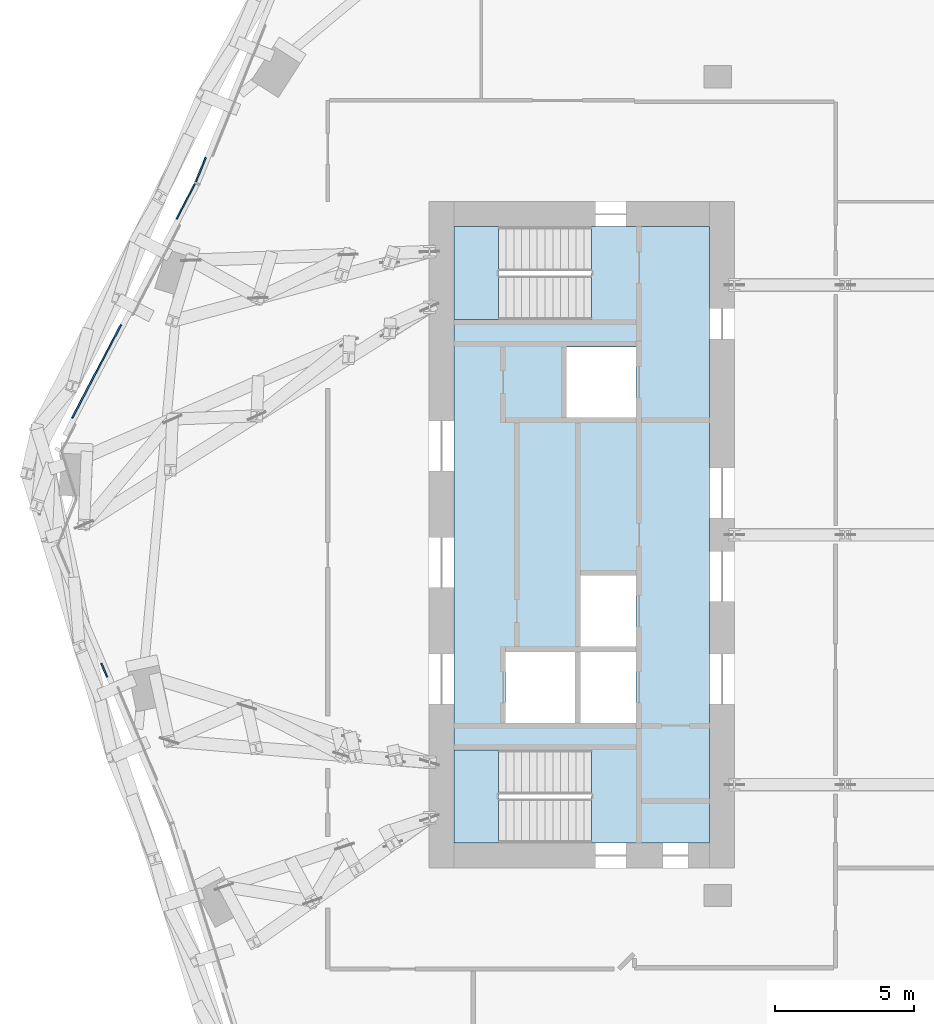
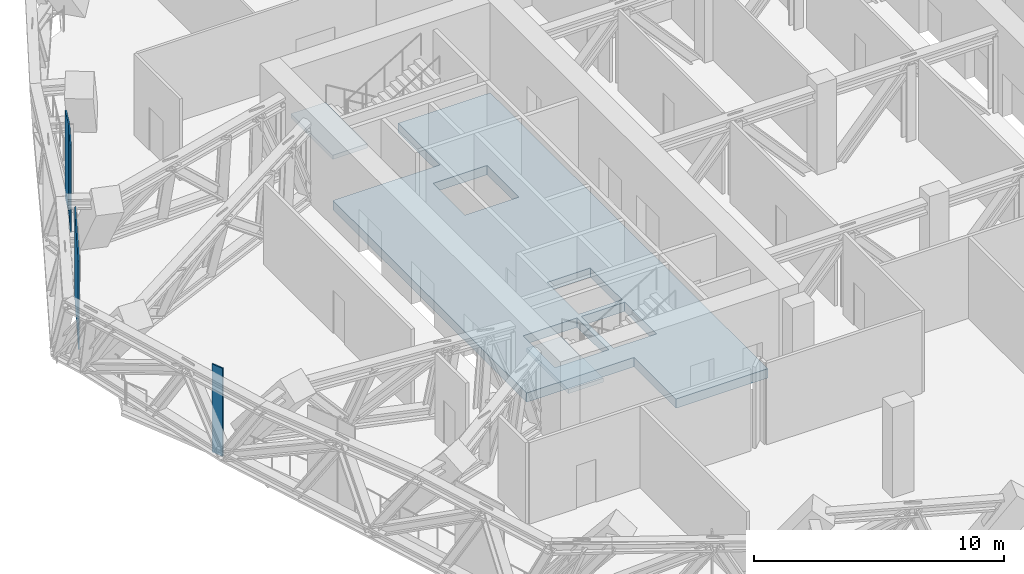
# One storey, part 19 of 31: 4 plates, 3 slabs, 5 elements without a shape of their own.
"""IFC4 building model written with IfcOpenShell, lengths in metres."""

from ifc_helpers import new_model, si_unit, direction, frame, origin, origin_2d, place, context, subcontext, project, spatial, polyline, rectangle, outline, extrude, material, layer, layer_set, type_object, element, aggregate, save


model = new_model("IFC4")

# Units and contexts
model_context = context("Model", 3, precision=1e-05, world=origin(), true_north=direction((0.0, 1.0)))
body_context = subcontext(model_context, "Body", "Model", "MODEL_VIEW")
ifc_project = project(units=[si_unit("LENGTHUNIT", "METRE"), si_unit("AREAUNIT", "SQUARE_METRE"), si_unit("VOLUMEUNIT", "CUBIC_METRE"), si_unit("PLANEANGLEUNIT", "RADIAN"), si_unit("MASSUNIT", "GRAM", prefix="KILO")], contexts=[model_context])

# Site, building, storey
site_placement = place(None, origin())
site = spatial("IfcSite", under=ifc_project, at=site_placement, CompositionType="ELEMENT")
building_placement = place(site_placement, origin())
building = spatial("IfcBuilding", under=site, at=building_placement, Name="Orlundy Tower", CompositionType="ELEMENT")
storey_placement = place(building_placement, frame((0.0, 0.0, 271.0)))
storey = spatial("IfcBuildingStorey", under=building, at=storey_placement, Name="L72", CompositionType="ELEMENT", Elevation=271.0)

# Curtain wall, plate
ifc_material_1 = material(Name="Aluminium bronze anodised", Category="aluminium")
curtain_wall_type = type_object("IfcCurtainWallType", Name="CW4 wall", PredefinedType="NOTDEFINED", material=ifc_material_1)
curtain_wall_1_placement = place(storey_placement, origin())
curtain_wall_1 = element("IfcCurtainWall", 1, at=curtain_wall_1_placement, inside=storey, type_object=curtain_wall_type, Name="CW4 run 04", PredefinedType="NOTDEFINED")
ifc_material_2 = material(Name="Louvre aluminium bronze anodised", Category="aluminium")
ifc_layer_1 = layer(ifc_material_2, 0.06005859375)
ifc_layer_set_1 = layer_set([ifc_layer_1], Name="CW4 louvre panel 60")
plate_type = type_object("IfcPlateType", Name="CW4 louvre panel 60", PredefinedType="CURTAIN_PANEL", material=ifc_layer_set_1)
plate_1_placement = place(storey_placement, frame((-30.70458984375, -4.8798828125, -0.2998046875), z_axis=(0.0, 0.0, 1.0), x_axis=(-0.390697634488, 0.920519070093, 0.0)))
plate_1 = element("IfcPlate", 2, at=plate_1_placement, type_object=plate_type, Name="CW4 louvre", PredefinedType="CURTAIN_PANEL", context=body_context, shape_type="SweptSolid", body=[
    extrude(rectangle(XDim=0.536865234375, YDim=0.06005859375, at=origin_2d()), origin(), (0.0, 0.0, 1.0), 4.300048828125),
])
aggregate(curtain_wall_1, [plate_1])

# Curtain wall, plates
curtain_wall_2_placement = place(storey_placement, origin())
curtain_wall_2 = element("IfcCurtainWall", 3, at=curtain_wall_2_placement, inside=storey, type_object=curtain_wall_type, Name="CW4 run 07", PredefinedType="NOTDEFINED")
plate_2_placement = place(storey_placement, frame((-30.978515625, 5.886962890625, -0.2998046875), z_axis=(0.0, 0.0, 1.0), x_axis=(0.464358908308, 0.885647110465, 0.0)))
plate_2 = element("IfcPlate", 4, at=plate_2_placement, type_object=plate_type, Name="CW4 louvre", PredefinedType="CURTAIN_PANEL", context=body_context, shape_type="SweptSolid", body=[
    extrude(rectangle(XDim=3.800537109375, YDim=0.06005859375, at=origin_2d()), origin(), (0.0, 0.0, 1.0), 4.300048828125),
])
plate_3_placement = place(storey_placement, frame((-27.763916015625, 12.017822265625, -0.2998046875), z_axis=(0.0, 0.0, 1.0), x_axis=(0.464358908308, 0.885647110465, 0.0)))
plate_3 = element("IfcPlate", 5, at=plate_3_placement, type_object=plate_type, Name="CW4 louvre", PredefinedType="CURTAIN_PANEL", context=body_context, shape_type="SweptSolid", body=[
    extrude(rectangle(XDim=1.436279296875, YDim=0.06005859375, at=origin_2d()), origin(), (0.0, 0.0, 1.0), 4.300048828125),
])
aggregate(curtain_wall_2, [plate_2, plate_3])

# Curtain wall, plate
curtain_wall_3_placement = place(storey_placement, origin())
curtain_wall_3 = element("IfcCurtainWall", 6, at=curtain_wall_3_placement, inside=storey, type_object=curtain_wall_type, Name="CW4 run 08", PredefinedType="NOTDEFINED")
plate_4_placement = place(storey_placement, frame((-27.22607421875, 13.15185546875, -0.2998046875), z_axis=(0.0, 0.0, 1.0), x_axis=(0.374585375151, 0.92719242702, 0.0)))
plate_4 = element("IfcPlate", 7, at=plate_4_placement, type_object=plate_type, Name="CW4 louvre", PredefinedType="CURTAIN_PANEL", context=body_context, shape_type="SweptSolid", body=[
    extrude(rectangle(XDim=0.956787109375, YDim=0.06005859375, at=origin_2d()), origin(), (0.0, 0.0, 1.0), 4.300048828125),
])
aggregate(curtain_wall_3, [plate_4])

# Slab
ifc_material_3 = material(Name="Concrete C50/60", Category="concrete")
ifc_layer_2 = layer(ifc_material_3, 0.449951171875)
ifc_layer_set_2 = layer_set([ifc_layer_2], Name="Core Floor Slab 450")
slab_type_1 = type_object("IfcSlabType", Name="Core Floor Slab 450", PredefinedType="FLOOR", material=ifc_layer_set_2)
slab_1_placement = place(storey_placement, frame((0.0, 0.0, -0.449951171875)))
element("IfcSlab", 8, at=slab_1_placement, inside=storey, type_object=slab_type_1, Name="Core floor W54", PredefinedType="FLOOR", context=body_context, shape_type="SweptSolid", body=[
    extrude(outline(polyline([(-18.10009765625, 7.75), (-13.14501953125, 7.75), (-13.14501953125, 11.10009765625), (-8.89990234375, 11.10009765625), (-8.89990234375, -11.10009765625), (-13.14501953125, -11.10009765625), (-13.14501953125, -7.75), (-18.10009765625, -7.75), (-18.10009765625, 7.75)]), holes=[polyline([(-13.5400390625, -4.22509765625), (-13.5400390625, -6.77490234375), (-11.5400390625, -6.77490234375), (-11.5400390625, -4.22509765625), (-13.5400390625, -4.22509765625)]), polyline([(-13.739990234375, -4.22509765625), (-16.239990234375, -4.22509765625), (-16.239990234375, -6.77490234375), (-13.739990234375, -6.77490234375), (-13.739990234375, -4.22509765625)]), polyline([(-11.5400390625, -4.02490234375), (-11.5400390625, -1.47509765625), (-13.5400390625, -1.47509765625), (-13.5400390625, -4.02490234375), (-11.5400390625, -4.02490234375)]), polyline([(-14.0400390625, 4.22509765625), (-11.5400390625, 4.22509765625), (-11.5400390625, 6.77490234375), (-14.0400390625, 6.77490234375), (-14.0400390625, 4.22509765625)])]), origin(), (0.0, 0.0, 1.0), 0.449951171875),
])

# Stair, slab
ifc_material_4 = material(Name="Concrete C50/60", Category="concrete")
stair_type = type_object("IfcStairType", Name="Exit Stair 26 risers", PredefinedType="HALF_TURN_STAIR", material=ifc_material_4)
stair_1_placement = place(storey_placement, origin())
stair_1 = element("IfcStair", 9, at=stair_1_placement, inside=storey, type_object=stair_type, Name="L72 Exit Stair ST-W1", PredefinedType="HALF_TURN_STAIR")
ifc_material_5 = material(Name="Concrete C50/60", Category="concrete")
ifc_layer_3 = layer(ifc_material_5, 0.199951171875)
ifc_layer_set_3 = layer_set([ifc_layer_3], Name="Exit Stair Landing")
slab_type_2 = type_object("IfcSlabType", Name="Exit Stair Landing", PredefinedType="LANDING", material=ifc_layer_set_3)
slab_2_placement = place(storey_placement, frame((0.0, 0.0, 2.0)))
slab_2 = element("IfcSlab", 10, at=slab_2_placement, type_object=slab_type_2, Name="ST-W1 landing 1", PredefinedType="LANDING", context=body_context, shape_type="SweptSolid", body=[
    extrude(outline(polyline([(-16.5, 11.10009765625), (-18.10009765625, 11.10009765625), (-18.10009765625, 7.75), (-16.5, 7.75), (-16.5, 11.10009765625)])), origin(), (0.0, 0.0, 1.0), 0.199951171875),
])
aggregate(stair_1, [slab_2])

stair_2_placement = place(storey_placement, origin())
stair_2 = element("IfcStair", 11, at=stair_2_placement, inside=storey, type_object=stair_type, Name="L72 Exit Stair ST-W2", PredefinedType="HALF_TURN_STAIR")
slab_3_placement = place(storey_placement, frame((0.0, 0.0, 2.0)))
slab_3 = element("IfcSlab", 12, at=slab_3_placement, type_object=slab_type_2, Name="ST-W2 landing 1", PredefinedType="LANDING", context=body_context, shape_type="SweptSolid", body=[
    extrude(outline(polyline([(-16.5, -7.75), (-18.10009765625, -7.75), (-18.10009765625, -11.10009765625), (-16.5, -11.10009765625), (-16.5, -7.75)])), origin(), (0.0, 0.0, 1.0), 0.199951171875),
])
aggregate(stair_2, [slab_3])

save(model, "model.ifc")
